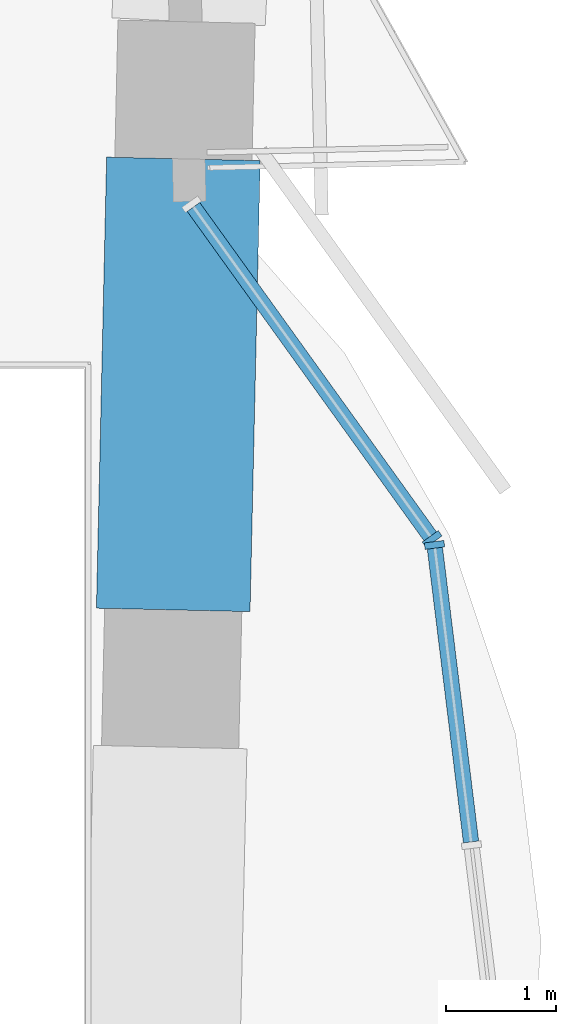
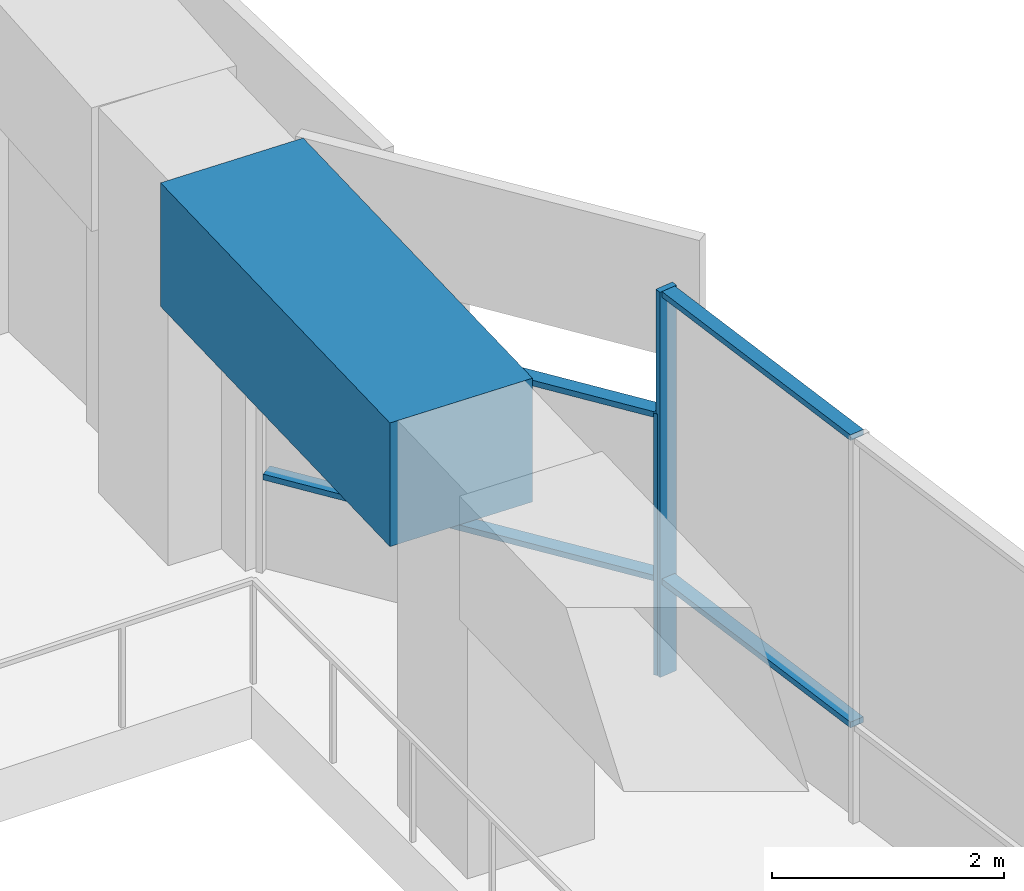
# One storey, part 4 of 17: 6 members, 1 beam, 2 elements without a shape of their own.
"""IFC4 building model written with IfcOpenShell, lengths in metres."""

from ifc_helpers import new_model, si_unit, direction, frame, origin, origin_2d, place, context, subcontext, project, spatial, rectangle, extrude, material, material_profile, profile_set, type_object, element, aggregate, save


model = new_model("IFC4")

# Units and contexts
model_context = context("Model", 3, precision=1e-05, world=origin(), true_north=direction((0.0, 1.0)))
body_context = subcontext(model_context, "Body", "Model", "MODEL_VIEW")
ifc_project = project(units=[si_unit("LENGTHUNIT", "METRE"), si_unit("AREAUNIT", "SQUARE_METRE"), si_unit("VOLUMEUNIT", "CUBIC_METRE"), si_unit("PLANEANGLEUNIT", "RADIAN"), si_unit("MASSUNIT", "GRAM", prefix="KILO")], contexts=[model_context])

# Site, building, storey
site_placement = place(None, origin())
site = spatial("IfcSite", under=ifc_project, at=site_placement, CompositionType="ELEMENT")
building_placement = place(site_placement, origin())
building = spatial("IfcBuilding", under=site, at=building_placement, Name="Mangrove Gate Tower", CompositionType="ELEMENT")
storey_placement = place(building_placement, frame((0.0, 0.0, 170.699951171875)))
storey = spatial("IfcBuildingStorey", under=building, at=storey_placement, Name="L43", CompositionType="ELEMENT", Elevation=170.699951171875)

# Curtain wall, member
ifc_material_1 = material(Name="Aluminium and glass curtain wall", Category="aluminium")
curtain_wall_type = type_object("IfcCurtainWallType", Name="Sky-lounge glazing wall", PredefinedType="NOTDEFINED", material=ifc_material_1)
curtain_wall_1_placement = place(storey_placement, origin())
curtain_wall_1 = element("IfcCurtainWall", 1, at=curtain_wall_1_placement, inside=storey, type_object=curtain_wall_type, Name="Sky-lounge glazing E1f2", PredefinedType="NOTDEFINED")
ifc_material_2 = material(Name="Aluminium alloy 6063-T6", Category="aluminium")
ifc_material_profile_1 = material_profile(ifc_material_2, rectangle(XDim=0.06005859375, YDim=0.179931640625, at=origin_2d()))
ifc_profile_set_1 = profile_set([ifc_material_profile_1], Name="Aluminium alloy 6063-T6")
member_type_1 = type_object("IfcMemberType", Name="Sky-lounge glazing mullion 60x180", PredefinedType="MULLION", material=ifc_profile_set_1)
member_1_placement = place(storey_placement, frame((28.159912109375, 5.896240234375, 0.0), z_axis=(0.0, 0.0, 1.0), x_axis=(-0.122172286076, 0.992508908028, 0.0)))
member_1 = element("IfcMember", 2, at=member_1_placement, type_object=member_type_1, Name="CWK mullion 3", PredefinedType="MULLION", context=body_context, shape_type="SweptSolid", body=[
    extrude(rectangle(XDim=0.06005859375, YDim=0.179931640625, at=origin_2d()), origin(), (0.0, 0.0, 1.0), 4.050048828125),
])

curtain_wall_2_placement = place(storey_placement, origin())
curtain_wall_2 = element("IfcCurtainWall", 3, at=curtain_wall_2_placement, inside=storey, type_object=curtain_wall_type, Name="Sky-lounge glazing E1f3", PredefinedType="NOTDEFINED")
member_2_placement = place(storey_placement, frame((28.138671875, 5.9501953125, 0.0), z_axis=(0.0, 0.0, 1.0), x_axis=(-0.583670260779, 0.811990779925, 0.0)))
member_2 = element("IfcMember", 4, at=member_2_placement, type_object=member_type_1, Name="CWK mullion 1", PredefinedType="MULLION", context=body_context, shape_type="SweptSolid", body=[
    extrude(rectangle(XDim=0.06005859375, YDim=0.179931640625, at=origin_2d()), origin(), (0.0, 0.0, 1.0), 2.75),
])

# Member
ifc_material_3 = material(Name="Aluminium alloy 6063-T6", Category="aluminium")
ifc_material_profile_2 = material_profile(ifc_material_3, rectangle(XDim=0.06005859375, YDim=0.139892578125, at=origin_2d()))
ifc_profile_set_2 = profile_set([ifc_material_profile_2], Name="Aluminium alloy 6063-T6")
member_type_2 = type_object("IfcMemberType", Name="Sky-lounge glazing transom 60x140", PredefinedType="USERDEFINED", material=ifc_profile_set_2)
member_3_placement = place(storey_placement, frame((28.4931640625, 3.18994140625, 1.0), z_axis=(-0.122218313927, 0.992503241174, 0.0), x_axis=(0.0, 0.0, 1.0)))
member_3 = element("IfcMember", 5, at=member_3_placement, type_object=member_type_2, Name="CWK transom 2.2", ObjectType="TRANSOM", PredefinedType="USERDEFINED", context=body_context, shape_type="SweptSolid", body=[
    extrude(rectangle(XDim=0.06005859375, YDim=0.139892578125, at=origin_2d()), origin(), (0.0, 0.0, 1.0), 2.69677734375),
])

member_4_placement = place(storey_placement, frame((28.4931640625, 3.18994140625, 4.02001953125), z_axis=(-0.122218313927, 0.992503241174, 0.0), x_axis=(0.0, 0.0, 1.0)))
member_4 = element("IfcMember", 6, at=member_4_placement, type_object=member_type_2, Name="CWK transom 2.3", ObjectType="TRANSOM", PredefinedType="USERDEFINED", context=body_context, shape_type="SweptSolid", body=[
    extrude(rectangle(XDim=0.06005859375, YDim=0.139892578125, at=origin_2d()), origin(), (0.0, 0.0, 1.0), 2.69677734375),
])

aggregate(curtain_wall_1, [member_1, member_3, member_4])

member_5_placement = place(storey_placement, frame((28.121337890625, 5.974609375, 1.0), z_axis=(-0.583697291947, 0.811971348863, 0.0), x_axis=(0.0, 0.0, 1.0)))
member_5 = element("IfcMember", 7, at=member_5_placement, type_object=member_type_2, Name="CWK transom 1.2", ObjectType="TRANSOM", PredefinedType="USERDEFINED", context=body_context, shape_type="SweptSolid", body=[
    extrude(rectangle(XDim=0.06005859375, YDim=0.139892578125, at=origin_2d()), origin(), (0.0, 0.0, 1.0), 3.6962890625),
])

member_6_placement = place(storey_placement, frame((28.121337890625, 5.974609375, 2.719970703125), z_axis=(-0.583697291947, 0.811971348863, 0.0), x_axis=(0.0, 0.0, 1.0)))
member_6 = element("IfcMember", 8, at=member_6_placement, type_object=member_type_2, Name="CWK transom 1.3", ObjectType="TRANSOM", PredefinedType="USERDEFINED", context=body_context, shape_type="SweptSolid", body=[
    extrude(rectangle(XDim=0.06005859375, YDim=0.139892578125, at=origin_2d()), origin(), (0.0, 0.0, 1.0), 3.6962890625),
])

aggregate(curtain_wall_2, [member_2, member_5, member_6])

# Beam
ifc_material_4 = material(Name="Concrete C60/75", Category="concrete")
ifc_material_profile_3 = material_profile(ifc_material_4, rectangle(XDim=1.39990234375, YDim=1.300048828125, at=origin_2d()))
ifc_profile_set_3 = profile_set([ifc_material_profile_3], Name="Concrete C60/75")
beam_type = type_object("IfcBeamType", Name="Transfer girder RC 1400x1300 C60/75", PredefinedType="BEAM", material=ifc_profile_set_3)
beam_placement = place(storey_placement, frame((25.779296875, 5.303955078125, 3.400146484375), z_axis=(0.022564934913, 0.99974537944, 0.0), x_axis=(-0.99974537944, 0.022564934913, 0.0)))
element("IfcBeam", 9, at=beam_placement, inside=storey, type_object=beam_type, Name="Transfer ring girder L43 15", PredefinedType="BEAM", context=body_context, shape_type="SweptSolid", body=[
    extrude(rectangle(XDim=1.39990234375, YDim=1.300048828125, at=origin_2d()), origin(), (0.0, 0.0, 1.0), 4.111328125),
])

save(model, "model.ifc")
